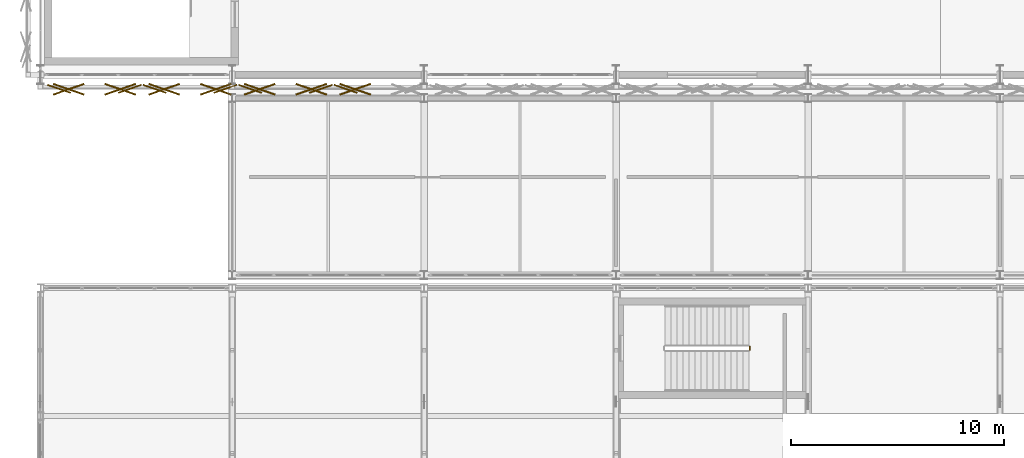
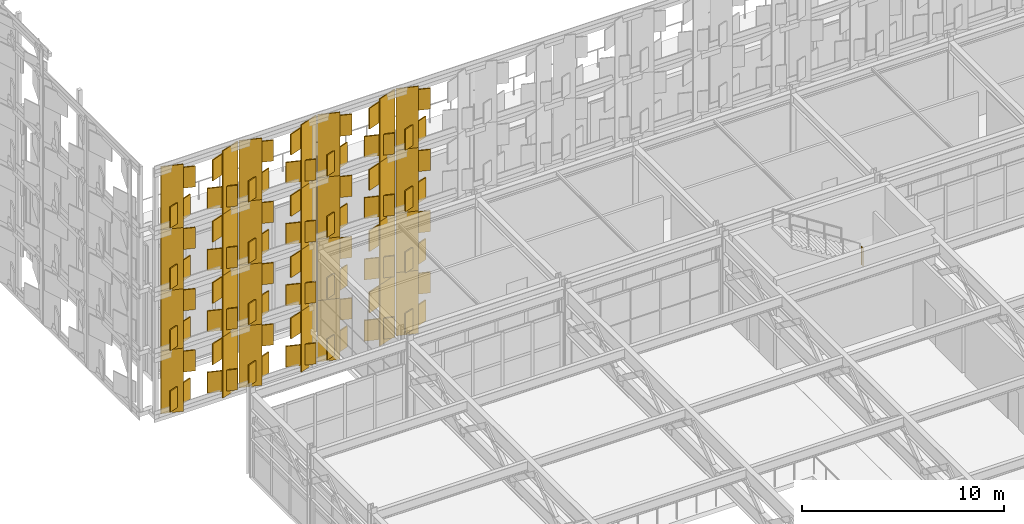
# One storey, part 177 of 210: 84 coverings, 1 railing.
"""IFC4 building model written with IfcOpenShell, lengths in metres."""

from ifc_helpers import new_model, si_unit, direction, frame, origin, origin_2d, place, context, subcontext, project, spatial, rectangle, circle, extrude, material, layer, layer_set, type_object, element, save


model = new_model("IFC4")

# Units and contexts
model_context = context("Model", 3, precision=1e-05, world=origin(), true_north=direction((0.0, 1.0)))
body_context = subcontext(model_context, "Body", "Model", "MODEL_VIEW")
ifc_project = project(units=[si_unit("LENGTHUNIT", "METRE"), si_unit("AREAUNIT", "SQUARE_METRE"), si_unit("VOLUMEUNIT", "CUBIC_METRE"), si_unit("PLANEANGLEUNIT", "RADIAN"), si_unit("MASSUNIT", "GRAM", prefix="KILO")], contexts=[model_context])

# Site, building, storey
site_placement = place(None, origin())
site = spatial("IfcSite", under=ifc_project, at=site_placement, CompositionType="ELEMENT")
building_placement = place(site_placement, origin())
building = spatial("IfcBuilding", under=site, at=building_placement, Name="Kaldris Quays Convention Centre", CompositionType="ELEMENT")
storey_placement = place(building_placement, frame((0.0, 0.0, 6.0)))
storey = spatial("IfcBuildingStorey", under=building, at=storey_placement, Name="L01", CompositionType="ELEMENT", Elevation=6.0)

# Railing
ifc_material_1 = material(Name="Steel S355J2", Category="steel")
railing_type = type_object("IfcRailingType", Name="INTERIOR GUARDRAIL GR01", PredefinedType="GUARDRAIL", material=ifc_material_1)
railing_placement = place(storey_placement, frame((53.27001953125, 43.10009765625, 2.699951171875)))
element("IfcRailing", 1, at=railing_placement, inside=storey, type_object=railing_type, Name="L01 ST07 Stair Guardrail 2", PredefinedType="GUARDRAIL", context=body_context, shape_type="SweptSolid", body=[
    extrude(circle(Radius=0.02392578125, at=origin_2d()), frame((0.0, 0.0, 1.076171875), z_axis=(0.0, 1.0, 0.0), x_axis=(-1.0, 0.0, 0.0)), (0.0, 0.0, 1.0), 0.14990234375),
    extrude(circle(Radius=0.02099609375, at=origin_2d()), origin(), (0.0, 0.0, 1.0), 1.052001953125),
    extrude(circle(Radius=0.02099609375, at=origin_2d()), frame((0.0, 0.14990234375, 0.0)), (0.0, 0.0, 1.0), 1.052001953125),
])

# Coverings
ifc_material_2 = material(Name="Alabaster white star-pierced anodized aluminium panel", Category="aluminium")
ifc_layer = layer(ifc_material_2, 0.044921875)
ifc_layer_set = layer_set([ifc_layer], Name="Alabaster white star-pierced anodized aluminium panel")
covering_type = type_object("IfcCoveringType", Name="STAR PIERCED WHITE FOLDED SCREEN CL01", PredefinedType="CLADDING", material=ifc_layer_set)
for number, where, z_axis, x_axis, name in (
    (2, (20.882080078125, 55.340087890625, -2.2099609375), (0.0, 0.0, 1.0), (0.945518575599, -0.325568154457, 0.0), "V1S Folded White Screen Stile 1080"),
    (3, (24.1962890625, 55.340087890625, -2.2099609375), (0.0, 0.0, 1.0), (0.945518575599, 0.325568154457, 0.0), "V1S Folded White Screen Stile 1081"),
):
    element("IfcCovering", number, at=place(storey_placement, frame(where, z_axis=z_axis, x_axis=x_axis)), inside=storey, type_object=covering_type, Name=name, PredefinedType="CLADDING", context=body_context, shape_type="SweptSolid", body=[
        extrude(rectangle(XDim=1.136962890625, YDim=0.054931640625, at=origin_2d()), origin(), (0.0, 0.0, 1.0), 3.820068359375),
    ])
for number, where, z_axis, x_axis, name in (
    (4, (21.330078125, 55.320068359375, -1.92822265625), (0.0, 0.0, 1.0), (0.945518575599, 0.325568154457, 0.0), "V1S Carved Star Corner Facet 1082"),
    (5, (21.330078125, 55.320068359375, 0.06982421875), (0.0, 0.0, 1.0), (0.945518575599, -0.325568154457, 0.0), "V1S Carved Star Corner Facet 1083"),
    (6, (23.74853515625, 55.320068359375, -1.92822265625), (0.0, 0.0, 1.0), (0.945518575599, -0.325568154457, 0.0), "V1S Carved Star Corner Facet 1084"),
    (7, (23.74853515625, 55.320068359375, 0.06982421875), (0.0, 0.0, 1.0), (0.945518575599, 0.325568154457, 0.0), "V1S Carved Star Corner Facet 1085"),
):
    element("IfcCovering", number, at=place(storey_placement, frame(where, z_axis=z_axis, x_axis=x_axis)), inside=storey, type_object=covering_type, Name=name, PredefinedType="CLADDING", context=body_context, shape_type="SweptSolid", body=[
        extrude(rectangle(XDim=1.52294921875, YDim=0.06494140625, at=origin_2d()), origin(), (0.0, 0.0, 1.0), 1.258056640625),
    ])
for number, where, z_axis, x_axis, name in (
    (8, (20.882080078125, 55.340087890625, 1.48974609375), (0.0, 0.0, 1.0), (0.945518575599, -0.325568154457, 0.0), "V1S Folded White Screen Stile 1086"),
    (9, (24.1962890625, 55.340087890625, 1.48974609375), (0.0, 0.0, 1.0), (0.945518575599, 0.325568154457, 0.0), "V1S Folded White Screen Stile 1087"),
):
    element("IfcCovering", number, at=place(storey_placement, frame(where, z_axis=z_axis, x_axis=x_axis)), inside=storey, type_object=covering_type, Name=name, PredefinedType="CLADDING", context=body_context, shape_type="SweptSolid", body=[
        extrude(rectangle(XDim=1.136962890625, YDim=0.054931640625, at=origin_2d()), origin(), (0.0, 0.0, 1.0), 3.820068359375),
    ])
for number, where, z_axis, x_axis, name in (
    (10, (21.330078125, 55.320068359375, 1.77197265625), (0.0, 0.0, 1.0), (0.945518575599, 0.325568154457, 0.0), "V1S Carved Star Corner Facet 1088"),
    (11, (21.330078125, 55.320068359375, 3.77001953125), (0.0, 0.0, 1.0), (0.945518575599, -0.325568154457, 0.0), "V1S Carved Star Corner Facet 1089"),
    (12, (23.74853515625, 55.320068359375, 1.77197265625), (0.0, 0.0, 1.0), (0.945518575599, -0.325568154457, 0.0), "V1S Carved Star Corner Facet 1090"),
    (13, (23.74853515625, 55.320068359375, 3.77001953125), (0.0, 0.0, 1.0), (0.945518575599, 0.325568154457, 0.0), "V1S Carved Star Corner Facet 1091"),
):
    element("IfcCovering", number, at=place(storey_placement, frame(where, z_axis=z_axis, x_axis=x_axis)), inside=storey, type_object=covering_type, Name=name, PredefinedType="CLADDING", context=body_context, shape_type="SweptSolid", body=[
        extrude(rectangle(XDim=1.52294921875, YDim=0.06494140625, at=origin_2d()), origin(), (0.0, 0.0, 1.0), 1.258056640625),
    ])
for number, where, z_axis, x_axis, name in (
    (14, (20.882080078125, 55.340087890625, 5.18994140625), (0.0, 0.0, 1.0), (0.945518575599, -0.325568154457, 0.0), "V1S Folded White Screen Stile 1092"),
    (15, (24.1962890625, 55.340087890625, 5.18994140625), (0.0, 0.0, 1.0), (0.945518575599, 0.325568154457, 0.0), "V1S Folded White Screen Stile 1093"),
):
    element("IfcCovering", number, at=place(storey_placement, frame(where, z_axis=z_axis, x_axis=x_axis)), inside=storey, type_object=covering_type, Name=name, PredefinedType="CLADDING", context=body_context, shape_type="SweptSolid", body=[
        extrude(rectangle(XDim=1.136962890625, YDim=0.054931640625, at=origin_2d()), origin(), (0.0, 0.0, 1.0), 3.820068359375),
    ])
for number, where, z_axis, x_axis, name in (
    (16, (21.330078125, 55.320068359375, 5.47216796875), (0.0, 0.0, 1.0), (0.945518575599, 0.325568154457, 0.0), "V1S Carved Star Corner Facet 1094"),
    (17, (21.330078125, 55.320068359375, 7.47021484375), (0.0, 0.0, 1.0), (0.945518575599, -0.325568154457, 0.0), "V1S Carved Star Corner Facet 1095"),
    (18, (23.74853515625, 55.320068359375, 5.47216796875), (0.0, 0.0, 1.0), (0.945518575599, -0.325568154457, 0.0), "V1S Carved Star Corner Facet 1096"),
    (19, (23.74853515625, 55.320068359375, 7.47021484375), (0.0, 0.0, 1.0), (0.945518575599, 0.325568154457, 0.0), "V1S Carved Star Corner Facet 1097"),
):
    element("IfcCovering", number, at=place(storey_placement, frame(where, z_axis=z_axis, x_axis=x_axis)), inside=storey, type_object=covering_type, Name=name, PredefinedType="CLADDING", context=body_context, shape_type="SweptSolid", body=[
        extrude(rectangle(XDim=1.52294921875, YDim=0.06494140625, at=origin_2d()), origin(), (0.0, 0.0, 1.0), 1.258056640625),
    ])
for number, where, z_axis, x_axis, name in (
    (20, (20.882080078125, 55.340087890625, 8.89013671875), (0.0, 0.0, 1.0), (0.945518575599, -0.325568154457, 0.0), "V1S Folded White Screen Stile 1098"),
    (21, (24.1962890625, 55.340087890625, 8.89013671875), (0.0, 0.0, 1.0), (0.945518575599, 0.325568154457, 0.0), "V1S Folded White Screen Stile 1099"),
):
    element("IfcCovering", number, at=place(storey_placement, frame(where, z_axis=z_axis, x_axis=x_axis)), inside=storey, type_object=covering_type, Name=name, PredefinedType="CLADDING", context=body_context, shape_type="SweptSolid", body=[
        extrude(rectangle(XDim=1.136962890625, YDim=0.054931640625, at=origin_2d()), origin(), (0.0, 0.0, 1.0), 3.820068359375),
    ])
for number, where, z_axis, x_axis, name in (
    (22, (21.330078125, 55.320068359375, 9.171875), (0.0, 0.0, 1.0), (0.945518575599, 0.325568154457, 0.0), "V1S Carved Star Corner Facet 1100"),
    (23, (21.330078125, 55.320068359375, 11.169921875), (0.0, 0.0, 1.0), (0.945518575599, -0.325568154457, 0.0), "V1S Carved Star Corner Facet 1101"),
    (24, (23.74853515625, 55.320068359375, 9.171875), (0.0, 0.0, 1.0), (0.945518575599, -0.325568154457, 0.0), "V1S Carved Star Corner Facet 1102"),
    (25, (23.74853515625, 55.320068359375, 11.169921875), (0.0, 0.0, 1.0), (0.945518575599, 0.325568154457, 0.0), "V1S Carved Star Corner Facet 1103"),
):
    element("IfcCovering", number, at=place(storey_placement, frame(where, z_axis=z_axis, x_axis=x_axis)), inside=storey, type_object=covering_type, Name=name, PredefinedType="CLADDING", context=body_context, shape_type="SweptSolid", body=[
        extrude(rectangle(XDim=1.52294921875, YDim=0.06494140625, at=origin_2d()), origin(), (0.0, 0.0, 1.0), 1.258056640625),
    ])
for number, where, z_axis, x_axis, name in (
    (26, (25.36083984375, 55.340087890625, -2.2099609375), (0.0, 0.0, 1.0), (0.945518575599, -0.325568154457, 0.0), "V1S Folded White Screen Stile 1104"),
    (27, (28.6748046875, 55.340087890625, -2.2099609375), (0.0, 0.0, 1.0), (0.945518575599, 0.325568154457, 0.0), "V1S Folded White Screen Stile 1105"),
):
    element("IfcCovering", number, at=place(storey_placement, frame(where, z_axis=z_axis, x_axis=x_axis)), inside=storey, type_object=covering_type, Name=name, PredefinedType="CLADDING", context=body_context, shape_type="SweptSolid", body=[
        extrude(rectangle(XDim=1.136962890625, YDim=0.054931640625, at=origin_2d()), origin(), (0.0, 0.0, 1.0), 3.820068359375),
    ])
for number, where, z_axis, x_axis, name in (
    (28, (25.80859375, 55.320068359375, -1.92822265625), (0.0, 0.0, 1.0), (0.945518575599, 0.325568154457, 0.0), "V1S Carved Star Corner Facet 1106"),
    (29, (25.80859375, 55.320068359375, 0.06982421875), (0.0, 0.0, 1.0), (0.945518575599, -0.325568154457, 0.0), "V1S Carved Star Corner Facet 1107"),
    (30, (28.22705078125, 55.320068359375, -1.92822265625), (0.0, 0.0, 1.0), (0.945518575599, -0.325568154457, 0.0), "V1S Carved Star Corner Facet 1108"),
    (31, (28.22705078125, 55.320068359375, 0.06982421875), (0.0, 0.0, 1.0), (0.945518575599, 0.325568154457, 0.0), "V1S Carved Star Corner Facet 1109"),
):
    element("IfcCovering", number, at=place(storey_placement, frame(where, z_axis=z_axis, x_axis=x_axis)), inside=storey, type_object=covering_type, Name=name, PredefinedType="CLADDING", context=body_context, shape_type="SweptSolid", body=[
        extrude(rectangle(XDim=1.52294921875, YDim=0.06494140625, at=origin_2d()), origin(), (0.0, 0.0, 1.0), 1.258056640625),
    ])
for number, where, z_axis, x_axis, name in (
    (32, (25.36083984375, 55.340087890625, 1.48974609375), (0.0, 0.0, 1.0), (0.945518575599, -0.325568154457, 0.0), "V1S Folded White Screen Stile 1110"),
    (33, (28.6748046875, 55.340087890625, 1.48974609375), (0.0, 0.0, 1.0), (0.945518575599, 0.325568154457, 0.0), "V1S Folded White Screen Stile 1111"),
):
    element("IfcCovering", number, at=place(storey_placement, frame(where, z_axis=z_axis, x_axis=x_axis)), inside=storey, type_object=covering_type, Name=name, PredefinedType="CLADDING", context=body_context, shape_type="SweptSolid", body=[
        extrude(rectangle(XDim=1.136962890625, YDim=0.054931640625, at=origin_2d()), origin(), (0.0, 0.0, 1.0), 3.820068359375),
    ])
for number, where, z_axis, x_axis, name in (
    (34, (25.80859375, 55.320068359375, 1.77197265625), (0.0, 0.0, 1.0), (0.945518575599, 0.325568154457, 0.0), "V1S Carved Star Corner Facet 1112"),
    (35, (25.80859375, 55.320068359375, 3.77001953125), (0.0, 0.0, 1.0), (0.945518575599, -0.325568154457, 0.0), "V1S Carved Star Corner Facet 1113"),
    (36, (28.22705078125, 55.320068359375, 1.77197265625), (0.0, 0.0, 1.0), (0.945518575599, -0.325568154457, 0.0), "V1S Carved Star Corner Facet 1114"),
    (37, (28.22705078125, 55.320068359375, 3.77001953125), (0.0, 0.0, 1.0), (0.945518575599, 0.325568154457, 0.0), "V1S Carved Star Corner Facet 1115"),
):
    element("IfcCovering", number, at=place(storey_placement, frame(where, z_axis=z_axis, x_axis=x_axis)), inside=storey, type_object=covering_type, Name=name, PredefinedType="CLADDING", context=body_context, shape_type="SweptSolid", body=[
        extrude(rectangle(XDim=1.52294921875, YDim=0.06494140625, at=origin_2d()), origin(), (0.0, 0.0, 1.0), 1.258056640625),
    ])
for number, where, z_axis, x_axis, name in (
    (38, (25.36083984375, 55.340087890625, 5.18994140625), (0.0, 0.0, 1.0), (0.945518575599, -0.325568154457, 0.0), "V1S Folded White Screen Stile 1116"),
    (39, (28.6748046875, 55.340087890625, 5.18994140625), (0.0, 0.0, 1.0), (0.945518575599, 0.325568154457, 0.0), "V1S Folded White Screen Stile 1117"),
):
    element("IfcCovering", number, at=place(storey_placement, frame(where, z_axis=z_axis, x_axis=x_axis)), inside=storey, type_object=covering_type, Name=name, PredefinedType="CLADDING", context=body_context, shape_type="SweptSolid", body=[
        extrude(rectangle(XDim=1.136962890625, YDim=0.054931640625, at=origin_2d()), origin(), (0.0, 0.0, 1.0), 3.820068359375),
    ])
for number, where, z_axis, x_axis, name in (
    (40, (25.80859375, 55.320068359375, 5.47216796875), (0.0, 0.0, 1.0), (0.945518575599, 0.325568154457, 0.0), "V1S Carved Star Corner Facet 1118"),
    (41, (25.80859375, 55.320068359375, 7.47021484375), (0.0, 0.0, 1.0), (0.945518575599, -0.325568154457, 0.0), "V1S Carved Star Corner Facet 1119"),
    (42, (28.22705078125, 55.320068359375, 5.47216796875), (0.0, 0.0, 1.0), (0.945518575599, -0.325568154457, 0.0), "V1S Carved Star Corner Facet 1120"),
    (43, (28.22705078125, 55.320068359375, 7.47021484375), (0.0, 0.0, 1.0), (0.945518575599, 0.325568154457, 0.0), "V1S Carved Star Corner Facet 1121"),
):
    element("IfcCovering", number, at=place(storey_placement, frame(where, z_axis=z_axis, x_axis=x_axis)), inside=storey, type_object=covering_type, Name=name, PredefinedType="CLADDING", context=body_context, shape_type="SweptSolid", body=[
        extrude(rectangle(XDim=1.52294921875, YDim=0.06494140625, at=origin_2d()), origin(), (0.0, 0.0, 1.0), 1.258056640625),
    ])
for number, where, z_axis, x_axis, name in (
    (44, (25.36083984375, 55.340087890625, 8.89013671875), (0.0, 0.0, 1.0), (0.945518575599, -0.325568154457, 0.0), "V1S Folded White Screen Stile 1122"),
    (45, (28.6748046875, 55.340087890625, 8.89013671875), (0.0, 0.0, 1.0), (0.945518575599, 0.325568154457, 0.0), "V1S Folded White Screen Stile 1123"),
):
    element("IfcCovering", number, at=place(storey_placement, frame(where, z_axis=z_axis, x_axis=x_axis)), inside=storey, type_object=covering_type, Name=name, PredefinedType="CLADDING", context=body_context, shape_type="SweptSolid", body=[
        extrude(rectangle(XDim=1.136962890625, YDim=0.054931640625, at=origin_2d()), origin(), (0.0, 0.0, 1.0), 3.820068359375),
    ])
for number, where, z_axis, x_axis, name in (
    (46, (25.80859375, 55.320068359375, 9.171875), (0.0, 0.0, 1.0), (0.945518575599, 0.325568154457, 0.0), "V1S Carved Star Corner Facet 1124"),
    (47, (25.80859375, 55.320068359375, 11.169921875), (0.0, 0.0, 1.0), (0.945518575599, -0.325568154457, 0.0), "V1S Carved Star Corner Facet 1125"),
    (48, (28.22705078125, 55.320068359375, 9.171875), (0.0, 0.0, 1.0), (0.945518575599, -0.325568154457, 0.0), "V1S Carved Star Corner Facet 1126"),
    (49, (28.22705078125, 55.320068359375, 11.169921875), (0.0, 0.0, 1.0), (0.945518575599, 0.325568154457, 0.0), "V1S Carved Star Corner Facet 1127"),
):
    element("IfcCovering", number, at=place(storey_placement, frame(where, z_axis=z_axis, x_axis=x_axis)), inside=storey, type_object=covering_type, Name=name, PredefinedType="CLADDING", context=body_context, shape_type="SweptSolid", body=[
        extrude(rectangle(XDim=1.52294921875, YDim=0.06494140625, at=origin_2d()), origin(), (0.0, 0.0, 1.0), 1.258056640625),
    ])
for number, where, z_axis, x_axis, name in (
    (50, (29.83935546875, 55.340087890625, -2.2099609375), (0.0, 0.0, 1.0), (0.945518575599, -0.325568154457, 0.0), "V1S Folded White Screen Stile 1128"),
    (51, (33.153564453125, 55.340087890625, -2.2099609375), (0.0, 0.0, 1.0), (0.945518575599, 0.325568154457, 0.0), "V1S Folded White Screen Stile 1129"),
):
    element("IfcCovering", number, at=place(storey_placement, frame(where, z_axis=z_axis, x_axis=x_axis)), inside=storey, type_object=covering_type, Name=name, PredefinedType="CLADDING", context=body_context, shape_type="SweptSolid", body=[
        extrude(rectangle(XDim=1.136962890625, YDim=0.054931640625, at=origin_2d()), origin(), (0.0, 0.0, 1.0), 3.820068359375),
    ])
for number, where, z_axis, x_axis, name in (
    (52, (30.287109375, 55.320068359375, -1.92822265625), (0.0, 0.0, 1.0), (0.945518575599, 0.325568154457, 0.0), "V1S Carved Star Corner Facet 1130"),
    (53, (30.287109375, 55.320068359375, 0.06982421875), (0.0, 0.0, 1.0), (0.945518575599, -0.325568154457, 0.0), "V1S Carved Star Corner Facet 1131"),
    (54, (32.70556640625, 55.320068359375, -1.92822265625), (0.0, 0.0, 1.0), (0.945518575599, -0.325568154457, 0.0), "V1S Carved Star Corner Facet 1132"),
    (55, (32.70556640625, 55.320068359375, 0.06982421875), (0.0, 0.0, 1.0), (0.945518575599, 0.325568154457, 0.0), "V1S Carved Star Corner Facet 1133"),
):
    element("IfcCovering", number, at=place(storey_placement, frame(where, z_axis=z_axis, x_axis=x_axis)), inside=storey, type_object=covering_type, Name=name, PredefinedType="CLADDING", context=body_context, shape_type="SweptSolid", body=[
        extrude(rectangle(XDim=1.52294921875, YDim=0.06494140625, at=origin_2d()), origin(), (0.0, 0.0, 1.0), 1.258056640625),
    ])
for number, where, z_axis, x_axis, name in (
    (56, (29.83935546875, 55.340087890625, 1.48974609375), (0.0, 0.0, 1.0), (0.945518575599, -0.325568154457, 0.0), "V1S Folded White Screen Stile 1134"),
    (57, (33.153564453125, 55.340087890625, 1.48974609375), (0.0, 0.0, 1.0), (0.945518575599, 0.325568154457, 0.0), "V1S Folded White Screen Stile 1135"),
):
    element("IfcCovering", number, at=place(storey_placement, frame(where, z_axis=z_axis, x_axis=x_axis)), inside=storey, type_object=covering_type, Name=name, PredefinedType="CLADDING", context=body_context, shape_type="SweptSolid", body=[
        extrude(rectangle(XDim=1.136962890625, YDim=0.054931640625, at=origin_2d()), origin(), (0.0, 0.0, 1.0), 3.820068359375),
    ])
for number, where, z_axis, x_axis, name in (
    (58, (30.287109375, 55.320068359375, 1.77197265625), (0.0, 0.0, 1.0), (0.945518575599, 0.325568154457, 0.0), "V1S Carved Star Corner Facet 1136"),
    (59, (30.287109375, 55.320068359375, 3.77001953125), (0.0, 0.0, 1.0), (0.945518575599, -0.325568154457, 0.0), "V1S Carved Star Corner Facet 1137"),
    (60, (32.70556640625, 55.320068359375, 1.77197265625), (0.0, 0.0, 1.0), (0.945518575599, -0.325568154457, 0.0), "V1S Carved Star Corner Facet 1138"),
    (61, (32.70556640625, 55.320068359375, 3.77001953125), (0.0, 0.0, 1.0), (0.945518575599, 0.325568154457, 0.0), "V1S Carved Star Corner Facet 1139"),
):
    element("IfcCovering", number, at=place(storey_placement, frame(where, z_axis=z_axis, x_axis=x_axis)), inside=storey, type_object=covering_type, Name=name, PredefinedType="CLADDING", context=body_context, shape_type="SweptSolid", body=[
        extrude(rectangle(XDim=1.52294921875, YDim=0.06494140625, at=origin_2d()), origin(), (0.0, 0.0, 1.0), 1.258056640625),
    ])
for number, where, z_axis, x_axis, name in (
    (62, (29.83935546875, 55.340087890625, 5.18994140625), (0.0, 0.0, 1.0), (0.945518575599, -0.325568154457, 0.0), "V1S Folded White Screen Stile 1140"),
    (63, (33.153564453125, 55.340087890625, 5.18994140625), (0.0, 0.0, 1.0), (0.945518575599, 0.325568154457, 0.0), "V1S Folded White Screen Stile 1141"),
):
    element("IfcCovering", number, at=place(storey_placement, frame(where, z_axis=z_axis, x_axis=x_axis)), inside=storey, type_object=covering_type, Name=name, PredefinedType="CLADDING", context=body_context, shape_type="SweptSolid", body=[
        extrude(rectangle(XDim=1.136962890625, YDim=0.054931640625, at=origin_2d()), origin(), (0.0, 0.0, 1.0), 3.820068359375),
    ])
for number, where, z_axis, x_axis, name in (
    (64, (30.287109375, 55.320068359375, 5.47216796875), (0.0, 0.0, 1.0), (0.945518575599, 0.325568154457, 0.0), "V1S Carved Star Corner Facet 1142"),
    (65, (30.287109375, 55.320068359375, 7.47021484375), (0.0, 0.0, 1.0), (0.945518575599, -0.325568154457, 0.0), "V1S Carved Star Corner Facet 1143"),
    (66, (32.70556640625, 55.320068359375, 5.47216796875), (0.0, 0.0, 1.0), (0.945518575599, -0.325568154457, 0.0), "V1S Carved Star Corner Facet 1144"),
    (67, (32.70556640625, 55.320068359375, 7.47021484375), (0.0, 0.0, 1.0), (0.945518575599, 0.325568154457, 0.0), "V1S Carved Star Corner Facet 1145"),
):
    element("IfcCovering", number, at=place(storey_placement, frame(where, z_axis=z_axis, x_axis=x_axis)), inside=storey, type_object=covering_type, Name=name, PredefinedType="CLADDING", context=body_context, shape_type="SweptSolid", body=[
        extrude(rectangle(XDim=1.52294921875, YDim=0.06494140625, at=origin_2d()), origin(), (0.0, 0.0, 1.0), 1.258056640625),
    ])
for number, where, z_axis, x_axis, name in (
    (68, (29.83935546875, 55.340087890625, 8.89013671875), (0.0, 0.0, 1.0), (0.945518575599, -0.325568154457, 0.0), "V1S Folded White Screen Stile 1146"),
    (69, (33.153564453125, 55.340087890625, 8.89013671875), (0.0, 0.0, 1.0), (0.945518575599, 0.325568154457, 0.0), "V1S Folded White Screen Stile 1147"),
):
    element("IfcCovering", number, at=place(storey_placement, frame(where, z_axis=z_axis, x_axis=x_axis)), inside=storey, type_object=covering_type, Name=name, PredefinedType="CLADDING", context=body_context, shape_type="SweptSolid", body=[
        extrude(rectangle(XDim=1.136962890625, YDim=0.054931640625, at=origin_2d()), origin(), (0.0, 0.0, 1.0), 3.820068359375),
    ])
for number, where, z_axis, x_axis, name in (
    (70, (30.287109375, 55.320068359375, 9.171875), (0.0, 0.0, 1.0), (0.945518575599, 0.325568154457, 0.0), "V1S Carved Star Corner Facet 1148"),
    (71, (30.287109375, 55.320068359375, 11.169921875), (0.0, 0.0, 1.0), (0.945518575599, -0.325568154457, 0.0), "V1S Carved Star Corner Facet 1149"),
    (72, (32.70556640625, 55.320068359375, 9.171875), (0.0, 0.0, 1.0), (0.945518575599, -0.325568154457, 0.0), "V1S Carved Star Corner Facet 1150"),
    (73, (32.70556640625, 55.320068359375, 11.169921875), (0.0, 0.0, 1.0), (0.945518575599, 0.325568154457, 0.0), "V1S Carved Star Corner Facet 1151"),
):
    element("IfcCovering", number, at=place(storey_placement, frame(where, z_axis=z_axis, x_axis=x_axis)), inside=storey, type_object=covering_type, Name=name, PredefinedType="CLADDING", context=body_context, shape_type="SweptSolid", body=[
        extrude(rectangle(XDim=1.52294921875, YDim=0.06494140625, at=origin_2d()), origin(), (0.0, 0.0, 1.0), 1.258056640625),
    ])
covering_1_placement = place(storey_placement, frame((34.31787109375, 55.340087890625, -2.2099609375), z_axis=(0.0, 0.0, 1.0), x_axis=(0.945518575599, -0.325568154457, 0.0)))
element("IfcCovering", 74, at=covering_1_placement, inside=storey, type_object=covering_type, Name="V1S Folded White Screen Stile 1152", PredefinedType="CLADDING", context=body_context, shape_type="SweptSolid", body=[
    extrude(rectangle(XDim=1.136962890625, YDim=0.054931640625, at=origin_2d()), origin(), (0.0, 0.0, 1.0), 3.820068359375),
])
for number, where, z_axis, x_axis, name in (
    (75, (34.765869140625, 55.320068359375, -1.92822265625), (0.0, 0.0, 1.0), (0.945518575599, 0.325568154457, 0.0), "V1S Carved Star Corner Facet 1154"),
    (76, (34.765869140625, 55.320068359375, 0.06982421875), (0.0, 0.0, 1.0), (0.945518575599, -0.325568154457, 0.0), "V1S Carved Star Corner Facet 1155"),
):
    element("IfcCovering", number, at=place(storey_placement, frame(where, z_axis=z_axis, x_axis=x_axis)), inside=storey, type_object=covering_type, Name=name, PredefinedType="CLADDING", context=body_context, shape_type="SweptSolid", body=[
        extrude(rectangle(XDim=1.52294921875, YDim=0.06494140625, at=origin_2d()), origin(), (0.0, 0.0, 1.0), 1.258056640625),
    ])
covering_2_placement = place(storey_placement, frame((34.31787109375, 55.340087890625, 1.48974609375), z_axis=(0.0, 0.0, 1.0), x_axis=(0.945518575599, -0.325568154457, 0.0)))
element("IfcCovering", 77, at=covering_2_placement, inside=storey, type_object=covering_type, Name="V1S Folded White Screen Stile 1158", PredefinedType="CLADDING", context=body_context, shape_type="SweptSolid", body=[
    extrude(rectangle(XDim=1.136962890625, YDim=0.054931640625, at=origin_2d()), origin(), (0.0, 0.0, 1.0), 3.820068359375),
])
for number, where, z_axis, x_axis, name in (
    (78, (34.765869140625, 55.320068359375, 1.77197265625), (0.0, 0.0, 1.0), (0.945518575599, 0.325568154457, 0.0), "V1S Carved Star Corner Facet 1160"),
    (79, (34.765869140625, 55.320068359375, 3.77001953125), (0.0, 0.0, 1.0), (0.945518575599, -0.325568154457, 0.0), "V1S Carved Star Corner Facet 1161"),
):
    element("IfcCovering", number, at=place(storey_placement, frame(where, z_axis=z_axis, x_axis=x_axis)), inside=storey, type_object=covering_type, Name=name, PredefinedType="CLADDING", context=body_context, shape_type="SweptSolid", body=[
        extrude(rectangle(XDim=1.52294921875, YDim=0.06494140625, at=origin_2d()), origin(), (0.0, 0.0, 1.0), 1.258056640625),
    ])
covering_3_placement = place(storey_placement, frame((34.31787109375, 55.340087890625, 5.18994140625), z_axis=(0.0, 0.0, 1.0), x_axis=(0.945518575599, -0.325568154457, 0.0)))
element("IfcCovering", 80, at=covering_3_placement, inside=storey, type_object=covering_type, Name="V1S Folded White Screen Stile 1164", PredefinedType="CLADDING", context=body_context, shape_type="SweptSolid", body=[
    extrude(rectangle(XDim=1.136962890625, YDim=0.054931640625, at=origin_2d()), origin(), (0.0, 0.0, 1.0), 3.820068359375),
])
for number, where, z_axis, x_axis, name in (
    (81, (34.765869140625, 55.320068359375, 5.47216796875), (0.0, 0.0, 1.0), (0.945518575599, 0.325568154457, 0.0), "V1S Carved Star Corner Facet 1166"),
    (82, (34.765869140625, 55.320068359375, 7.47021484375), (0.0, 0.0, 1.0), (0.945518575599, -0.325568154457, 0.0), "V1S Carved Star Corner Facet 1167"),
):
    element("IfcCovering", number, at=place(storey_placement, frame(where, z_axis=z_axis, x_axis=x_axis)), inside=storey, type_object=covering_type, Name=name, PredefinedType="CLADDING", context=body_context, shape_type="SweptSolid", body=[
        extrude(rectangle(XDim=1.52294921875, YDim=0.06494140625, at=origin_2d()), origin(), (0.0, 0.0, 1.0), 1.258056640625),
    ])
covering_4_placement = place(storey_placement, frame((34.31787109375, 55.340087890625, 8.89013671875), z_axis=(0.0, 0.0, 1.0), x_axis=(0.945518575599, -0.325568154457, 0.0)))
element("IfcCovering", 83, at=covering_4_placement, inside=storey, type_object=covering_type, Name="V1S Folded White Screen Stile 1170", PredefinedType="CLADDING", context=body_context, shape_type="SweptSolid", body=[
    extrude(rectangle(XDim=1.136962890625, YDim=0.054931640625, at=origin_2d()), origin(), (0.0, 0.0, 1.0), 3.820068359375),
])
for number, where, z_axis, x_axis, name in (
    (84, (34.765869140625, 55.320068359375, 9.171875), (0.0, 0.0, 1.0), (0.945518575599, 0.325568154457, 0.0), "V1S Carved Star Corner Facet 1172"),
    (85, (34.765869140625, 55.320068359375, 11.169921875), (0.0, 0.0, 1.0), (0.945518575599, -0.325568154457, 0.0), "V1S Carved Star Corner Facet 1173"),
):
    element("IfcCovering", number, at=place(storey_placement, frame(where, z_axis=z_axis, x_axis=x_axis)), inside=storey, type_object=covering_type, Name=name, PredefinedType="CLADDING", context=body_context, shape_type="SweptSolid", body=[
        extrude(rectangle(XDim=1.52294921875, YDim=0.06494140625, at=origin_2d()), origin(), (0.0, 0.0, 1.0), 1.258056640625),
    ])

save(model, "model.ifc")
